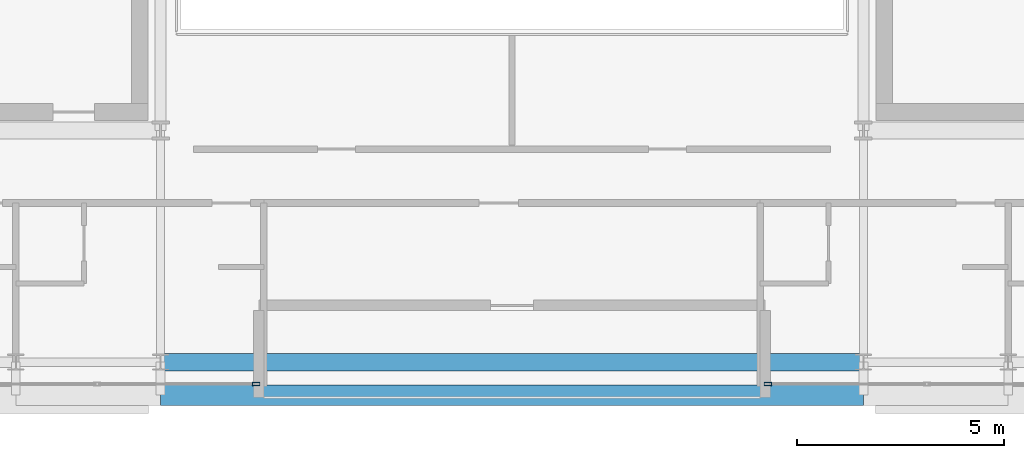
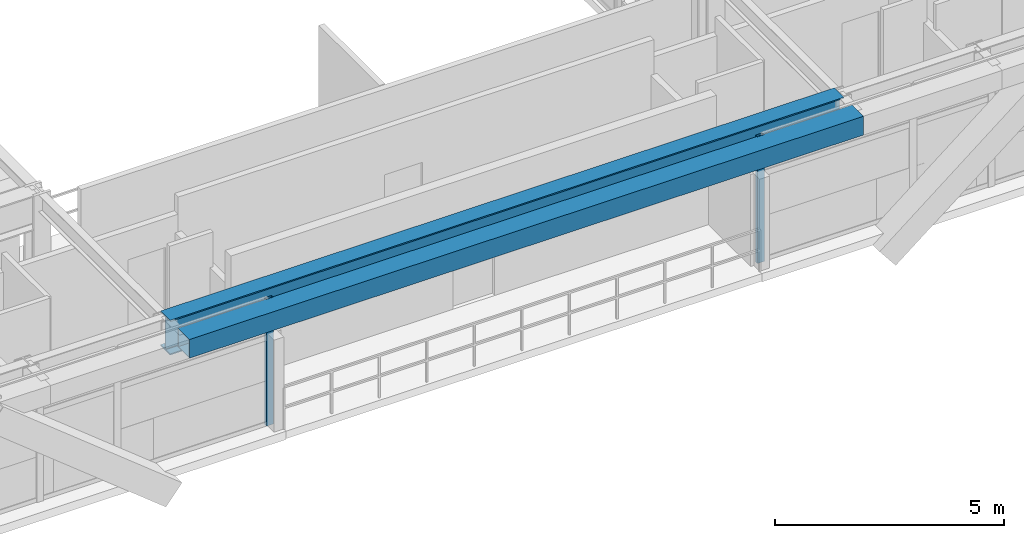
# One storey, part 5 of 29: 2 beams, 2 members, 2 elements without a shape of their own.
"""IFC4 building model written with IfcOpenShell, lengths in metres."""

from ifc_helpers import new_model, si_unit, direction, frame, origin, origin_2d, place, context, subcontext, project, spatial, hollow_rectangle, i_section, extrude, source, transform, mapped, material, layer, layer_set, material_profile, profile_set, type_object, element, aggregate, save


model = new_model("IFC4")

# Units and contexts
model_context = context("Model", 3, precision=1e-05, world=origin(), true_north=direction((0.0, 1.0)))
body_context = subcontext(model_context, "Body", "Model", "MODEL_VIEW")
ifc_project = project(units=[si_unit("LENGTHUNIT", "METRE"), si_unit("AREAUNIT", "SQUARE_METRE"), si_unit("VOLUMEUNIT", "CUBIC_METRE"), si_unit("PLANEANGLEUNIT", "RADIAN"), si_unit("MASSUNIT", "GRAM", prefix="KILO")], contexts=[model_context])

# Site, building, storey
site_placement = place(None, origin())
site = spatial("IfcSite", under=ifc_project, at=site_placement, CompositionType="ELEMENT")
building_placement = place(site_placement, origin())
building = spatial("IfcBuilding", under=site, at=building_placement, Name="Ocotamira Hotel", CompositionType="ELEMENT")
storey_placement = place(building_placement, frame((0.0, 0.0, 236.39990234375)))
storey = spatial("IfcBuildingStorey", under=building, at=storey_placement, Name="L59", CompositionType="ELEMENT", Elevation=236.39990234375)

# Beams
ifc_material_1 = material(Name="Steel ASTM A992 Grade 50", Category="steel")
ifc_material_profile_1 = material_profile(ifc_material_1, i_section(OverallWidth=0.41796875, OverallDepth=0.927001953125, WebThickness=0.019287109375, FlangeThickness=0.031982421875, FilletRadius=0.02392578125, at=origin_2d()), Name="W36X231")
ifc_profile_set_1 = profile_set([ifc_material_profile_1], Name="Steel ASTM A992 Grade 50")
beam_type_1 = type_object("IfcBeamType", Name="BM-GIRD-W36X231", PredefinedType="BEAM", material=ifc_profile_set_1)
shared_shape_1 = source(origin(), body_context, "Body", "SweptSolid", [
    extrude(i_section(OverallWidth=0.41796875, OverallDepth=0.927001953125, WebThickness=0.019287109375, FlangeThickness=0.031982421875, FilletRadius=0.02392578125, at=origin_2d()), origin(), (0.0, 0.0, 1.0), 17.0),
])
beam_1_placement = place(storey_placement, frame((23.5, 8.949951171875, 2.91650390625), z_axis=(1.0, 0.0, 0.0), x_axis=(0.0, 1.0, 0.0)))
element("IfcBeam", 1, at=beam_1_placement, inside=storey, type_object=beam_type_1, Name="L59 Girder Y8.95 X23.5-40.5", PredefinedType="BEAM", context=body_context, shape_type="MappedRepresentation", body=[
    mapped(shared_shape_1, transform((0.0, 0.0, 0.0), scale=1.0)),
])
ifc_material_2 = material(Name="Steel ASTM A500 Grade C", Category="steel")
ifc_material_profile_2 = material_profile(ifc_material_2, hollow_rectangle(XDim=0.5, YDim=0.5, WallThickness=0.02001953125, at=origin_2d()), Name="HSS500X500X20")
ifc_profile_set_2 = profile_set([ifc_material_profile_2], Name="Steel ASTM A500 Grade C")
beam_type_2 = type_object("IfcBeamType", Name="BM-SPAN-HSS500", PredefinedType="USERDEFINED", material=ifc_profile_set_2)
shared_shape_2 = source(origin(), body_context, "Body", "SweptSolid", [
    extrude(hollow_rectangle(XDim=0.5, YDim=0.5, WallThickness=0.02001953125, at=origin_2d()), origin(), (0.0, 0.0, 1.0), 17.0),
])
beam_2_placement = place(storey_placement, frame((23.5, 8.14990234375, 3.130126953125), z_axis=(1.0, 0.0, 0.0), x_axis=(0.0, 1.0, 0.0)))
element("IfcBeam", 2, at=beam_2_placement, inside=storey, type_object=beam_type_2, Name="L59 Edge Spandrel S X23.5-40.5", ObjectType="SPANDREL", PredefinedType="USERDEFINED", context=body_context, shape_type="MappedRepresentation", body=[
    mapped(shared_shape_2, transform((0.0, 0.0, 0.0), scale=1.0)),
])

# Curtain wall, member
ifc_material_3 = material(Name="Anodised pale-metal aluminium and solar glass", Category="aluminium")
ifc_layer = layer(ifc_material_3, 0.239990234375)
ifc_layer_set = layer_set([ifc_layer], Name="Anodised pale-metal aluminium and solar glass")
curtain_wall_type = type_object("IfcCurtainWallType", Name="CW-SYS5-SKY", PredefinedType="NOTDEFINED", material=ifc_layer_set)
curtain_wall_1_placement = place(storey_placement, origin())
curtain_wall_1 = element("IfcCurtainWall", 3, at=curtain_wall_1_placement, inside=storey, type_object=curtain_wall_type, Name="L59 Curtain Wall CW-5 CW-L59-S1", PredefinedType="NOTDEFINED")
ifc_material_4 = material(Name="Anodised pale-metal aluminium 6063-T6", Category="aluminium")
ifc_material_profile_3 = material_profile(ifc_material_4, hollow_rectangle(XDim=0.080078125, YDim=0.179931640625, WallThickness=0.006103515625, at=origin_2d()), Name="HSS180X80X6")
ifc_profile_set_3 = profile_set([ifc_material_profile_3], Name="Anodised pale-metal aluminium 6063-T6")
member_type = type_object("IfcMemberType", Name="CWM-180X75", PredefinedType="MULLION", material=ifc_profile_set_3)
shared_shape_3 = source(origin(), body_context, "Body", "SweptSolid", [
    extrude(hollow_rectangle(XDim=0.080078125, YDim=0.179931640625, WallThickness=0.006103515625, at=origin_2d()), origin(), (0.0, 0.0, 1.0), 3.380126953125),
])
member_1_placement = place(storey_placement, frame((25.81005859375, 8.419921875, 0.0), z_axis=(0.0, 0.0, 1.0), x_axis=(0.0, 1.0, 0.0)))
member_1 = element("IfcMember", 4, at=member_1_placement, type_object=member_type, Name="CW-5 mullion 4", PredefinedType="MULLION", context=body_context, shape_type="MappedRepresentation", body=[
    mapped(shared_shape_3, transform((0.0, 0.0, 0.0), scale=1.0)),
])
aggregate(curtain_wall_1, [member_1])

curtain_wall_2_placement = place(storey_placement, origin())
curtain_wall_2 = element("IfcCurtainWall", 5, at=curtain_wall_2_placement, inside=storey, type_object=curtain_wall_type, Name="L59 Curtain Wall CW-5 CW-L59-S2", PredefinedType="NOTDEFINED")
member_2_placement = place(storey_placement, frame((38.18994140625, 8.419921875, 0.0), z_axis=(0.0, 0.0, 1.0), x_axis=(0.0, 1.0, 0.0)))
member_2 = element("IfcMember", 6, at=member_2_placement, type_object=member_type, Name="CW-5 mullion 1", PredefinedType="MULLION", context=body_context, shape_type="MappedRepresentation", body=[
    mapped(shared_shape_3, transform((0.0, 0.0, 0.0), scale=1.0)),
])
aggregate(curtain_wall_2, [member_2])

save(model, "model.ifc")
